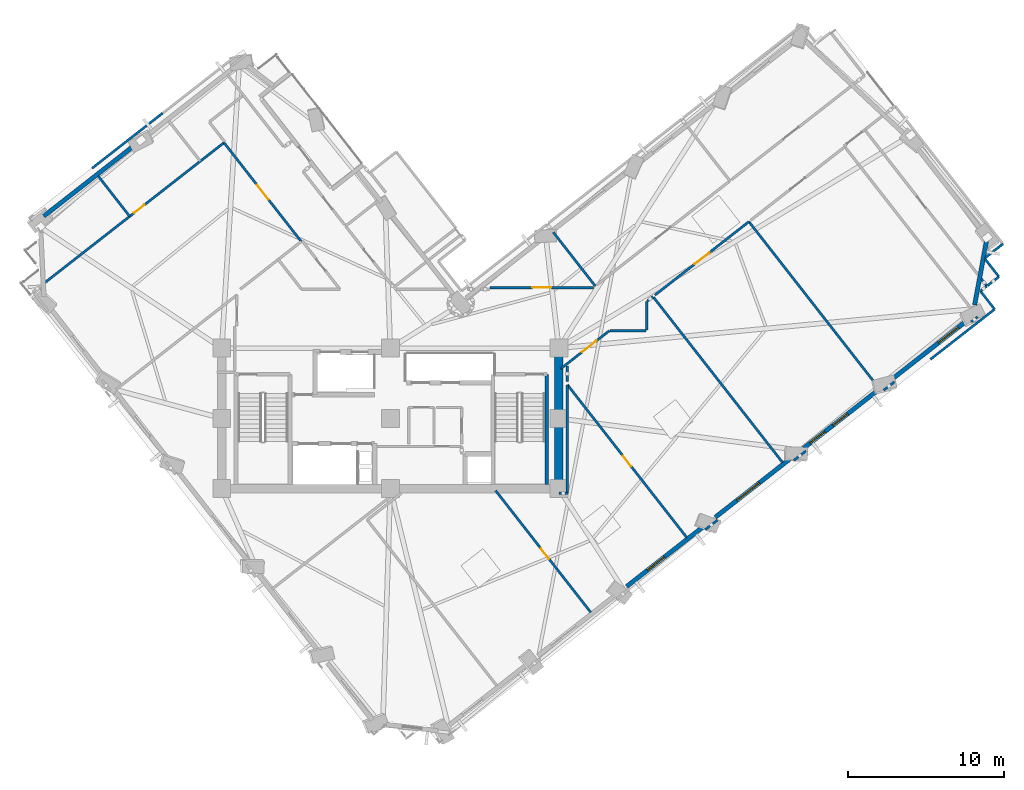
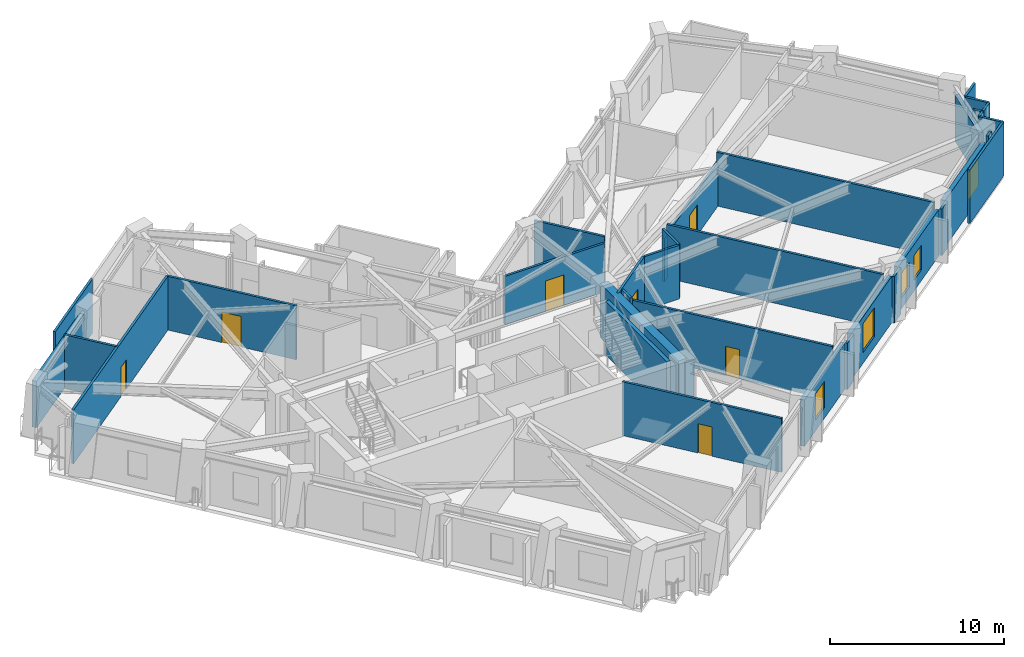
# One storey, part 7 of 14: 37 walls, 7 doors, 5 windows, 12 openings.
"""IFC4 building model written with IfcOpenShell, lengths in metres."""

from ifc_helpers import new_model, si_unit, direction, frame, frame_2d, origin, place, context, subcontext, project, spatial, rectangle, extrude, material, layer, layer_set, type_object, element, fill, save


model = new_model("IFC4")

# Units and contexts
model_context = context("Model", 3, precision=1e-05, world=origin(), true_north=direction((0.0, 1.0)))
body_context = subcontext(model_context, "Body", "Model", "MODEL_VIEW")
ifc_project = project(units=[si_unit("LENGTHUNIT", "METRE"), si_unit("AREAUNIT", "SQUARE_METRE"), si_unit("VOLUMEUNIT", "CUBIC_METRE"), si_unit("PLANEANGLEUNIT", "RADIAN"), si_unit("MASSUNIT", "GRAM", prefix="KILO")], contexts=[model_context])

# Site, building, storey
site_placement = place(None, origin())
site = spatial("IfcSite", under=ifc_project, at=site_placement, CompositionType="ELEMENT")
building_placement = place(site_placement, origin())
building = spatial("IfcBuilding", under=site, at=building_placement, Name="Gaonmaruhae Medical Tower", CompositionType="ELEMENT")
storey_placement = place(building_placement, frame((0.0, 0.0, 185.800048828125)))
storey = spatial("IfcBuildingStorey", under=building, at=storey_placement, Name="L44", CompositionType="ELEMENT", Elevation=185.800048828125)

# Wall
ifc_material_1 = material(Name="Concrete C50/60", Category="concrete")
ifc_layer_1 = layer(ifc_material_1, 0.550048828125)
ifc_layer_set_1 = layer_set([ifc_layer_1], Name="Concrete C50/60")
wall_type_1 = type_object("IfcWallType", Name="CW-550 Mid-High Core Shear Wall", PredefinedType="SHEAR", material=ifc_layer_set_1)
wall_1_placement = place(storey_placement, frame((35.60009765625, 7.800048828125, 0.0), z_axis=(0.0, 0.0, 1.0), x_axis=(0.0, 1.0, 0.0)))
element("IfcWall", 1, at=wall_1_placement, inside=storey, type_object=wall_type_1, Name="L44 Core Shear Wall CSW-E1", PredefinedType="SHEAR", context=body_context, shape_type="SweptSolid", body=[
    extrude(rectangle(XDim=9.0, YDim=0.550048828125, at=frame_2d((4.5, 0.0))), origin(), (0.0, 0.0, 1.0), 3.780029296875),
])

# Wall, opening, window
ifc_material_2 = material(Name="Precast concrete C45/55", Category="concrete")
ifc_layer_2 = layer(ifc_material_2, 0.280029296875)
ifc_layer_set_2 = layer_set([ifc_layer_2], Name="Precast concrete C45/55")
wall_type_2 = type_object("IfcWallType", Name="EW-280 Upper Precast Masonry-Frame Facade Wall", PredefinedType="SOLIDWALL", material=ifc_layer_set_2)
wall_2_placement = place(storey_placement, frame((44.846923828125, 5.351318359375, 0.0), z_axis=(0.0, 0.0, 1.0), x_axis=(-0.78801127006, -0.615660814294, 0.0)))
wall_2 = element("IfcWall", 2, at=wall_2_placement, inside=storey, type_object=wall_type_2, Name="L44 Precast Masonry-Frame Wall S03-S04", PredefinedType="SOLIDWALL", context=body_context, shape_type="SweptSolid", body=[
    extrude(rectangle(XDim=6.21435546875, YDim=0.280029296875, at=frame_2d((3.107177734375, 0.0))), origin(), (0.0, 0.0, 1.0), 3.264892578125),
])
opening_1_placement = place(wall_2_placement, frame((3.135009765625, 0.0, 0.75)))
opening_1 = element("IfcOpeningElement", 3, at=opening_1_placement, cuts=wall_2, Name="Opening WN-03", PredefinedType="OPENING", context=body_context, shape_type="SweptSolid", body=[
    extrude(rectangle(XDim=1.39990234375, YDim=1.85009765625, at=frame_2d((0.699951171875, 0.925048828125))), frame((0.0, 0.14990234375, 0.0), z_axis=(0.0, -1.0, 0.0), x_axis=(1.0, 0.0, 0.0)), (0.0, 0.0, 1.0), 0.300048828125),
])
ifc_material_3 = material(Name="Anodised aluminium and Low-E double glazing", Category="aluminium")
window_type_1 = type_object("IfcWindowType", Name="WN-03 Isolation Ward Punched Window 1400x1850", PartitioningType="SINGLE_PANEL", PredefinedType="WINDOW", material=ifc_material_3)
window_1_placement = place(opening_1_placement, origin())
window_1 = element("IfcWindow", 4, at=window_1_placement, inside=storey, type_object=window_type_1, Name="L44 Modular Facade Window S03", OverallHeight=1.85009765625, OverallWidth=1.39990234375, PartitioningType="SINGLE_PANEL", PredefinedType="WINDOW", context=body_context, shape_type="SweptSolid", body=[
    extrude(rectangle(XDim=1.39990234375, YDim=1.85009765625, at=frame_2d((0.699951171875, 0.925048828125))), frame((0.0, 0.030029296875, 0.0), z_axis=(0.0, -1.0, 0.0), x_axis=(1.0, 0.0, 0.0)), (0.0, 0.0, 1.0), 0.06005859375),
])
fill(opening_1, window_1)

wall_3_placement = place(storey_placement, frame((50.52099609375, 9.784423828125, 0.0), z_axis=(0.0, 0.0, 1.0), x_axis=(-0.788024969853, -0.615643278927, 0.0)))
wall_3 = element("IfcWall", 5, at=wall_3_placement, inside=storey, type_object=wall_type_2, Name="L44 Precast Masonry-Frame Wall S04-S05", PredefinedType="SOLIDWALL", context=body_context, shape_type="SweptSolid", body=[
    extrude(rectangle(XDim=6.208984375, YDim=0.280029296875, at=frame_2d((3.1044921875, 0.0))), origin(), (0.0, 0.0, 1.0), 3.264892578125),
])
opening_2_placement = place(wall_3_placement, frame((2.634033203125, 0.0, 0.75)))
opening_2 = element("IfcOpeningElement", 6, at=opening_2_placement, cuts=wall_3, Name="Opening WN-04", PredefinedType="OPENING", context=body_context, shape_type="SweptSolid", body=[
    extrude(rectangle(XDim=1.800048828125, YDim=2.050048828125, at=frame_2d((0.89990234375, 1.02490234375))), frame((0.0, 0.14990234375, 0.0), z_axis=(0.0, -1.0, 0.0), x_axis=(1.0, 0.0, 0.0)), (0.0, 0.0, 1.0), 0.300048828125),
])
window_type_2 = type_object("IfcWindowType", Name="WN-04 Clinic & Consult Punched Window 1800x2050", PartitioningType="SINGLE_PANEL", PredefinedType="WINDOW", material=ifc_material_3)
window_2_placement = place(opening_2_placement, origin())
window_2 = element("IfcWindow", 7, at=window_2_placement, inside=storey, type_object=window_type_2, Name="L44 Modular Facade Window S04", OverallHeight=2.050048828125, OverallWidth=1.800048828125, PartitioningType="SINGLE_PANEL", PredefinedType="WINDOW", context=body_context, shape_type="SweptSolid", body=[
    extrude(rectangle(XDim=1.800048828125, YDim=2.050048828125, at=frame_2d((0.89990234375, 1.02490234375))), frame((0.0, 0.030029296875, 0.0), z_axis=(0.0, -1.0, 0.0), x_axis=(1.0, 0.0, 0.0)), (0.0, 0.0, 1.0), 0.06005859375),
])
fill(opening_2, window_2)

# Wall, openings, windows
wall_4_placement = place(storey_placement, frame((56.20068359375, 14.221923828125, 0.0), z_axis=(0.0, 0.0, 1.0), x_axis=(-0.788018421065, -0.6156516613, 0.0)))
wall_4 = element("IfcWall", 8, at=wall_4_placement, inside=storey, type_object=wall_type_2, Name="L44 Precast Masonry-Frame Wall S05-S06", PredefinedType="SOLIDWALL", context=body_context, shape_type="SweptSolid", body=[
    extrude(rectangle(XDim=6.218017578125, YDim=0.280029296875, at=frame_2d((3.10888671875, 0.0))), origin(), (0.0, 0.0, 1.0), 3.264892578125),
])
opening_3_placement = place(wall_4_placement, frame((2.642333984375, 0.0, 0.75)))
opening_3 = element("IfcOpeningElement", 9, at=opening_3_placement, cuts=wall_4, Name="Opening WN-05", PredefinedType="OPENING", context=body_context, shape_type="SweptSolid", body=[
    extrude(rectangle(XDim=1.199951171875, YDim=1.75, at=frame_2d((0.60009765625, 0.875))), frame((0.0, 0.14990234375, 0.0), z_axis=(0.0, -1.0, 0.0), x_axis=(1.0, 0.0, 0.0)), (0.0, 0.0, 1.0), 0.300048828125),
])
opening_4_placement = place(wall_4_placement, frame((4.494873046875, 0.0, 0.75)))
opening_4 = element("IfcOpeningElement", 10, at=opening_4_placement, cuts=wall_4, Name="Opening WN-05", PredefinedType="OPENING", context=body_context, shape_type="SweptSolid", body=[
    extrude(rectangle(XDim=1.199951171875, YDim=1.75, at=frame_2d((0.60009765625, 0.875))), frame((0.0, 0.14990234375, 0.0), z_axis=(0.0, -1.0, 0.0), x_axis=(1.0, 0.0, 0.0)), (0.0, 0.0, 1.0), 0.300048828125),
])
window_type_3 = type_object("IfcWindowType", Name="WN-05 Support & Staff Punched Window 1200x1750", PartitioningType="SINGLE_PANEL", PredefinedType="WINDOW", material=ifc_material_3)
window_3_placement = place(opening_3_placement, origin())
window_3 = element("IfcWindow", 11, at=window_3_placement, inside=storey, type_object=window_type_3, Name="L44 Modular Facade Window S05", OverallHeight=1.75, OverallWidth=1.199951171875, PartitioningType="SINGLE_PANEL", PredefinedType="WINDOW", context=body_context, shape_type="SweptSolid", body=[
    extrude(rectangle(XDim=1.199951171875, YDim=1.75, at=frame_2d((0.60009765625, 0.875))), frame((0.0, 0.030029296875, 0.0), z_axis=(0.0, -1.0, 0.0), x_axis=(1.0, 0.0, 0.0)), (0.0, 0.0, 1.0), 0.06005859375),
])
fill(opening_3, window_3)
window_4_placement = place(opening_4_placement, origin())
window_4 = element("IfcWindow", 12, at=window_4_placement, inside=storey, type_object=window_type_3, Name="L44 Modular Facade Window S05B", OverallHeight=1.75, OverallWidth=1.199951171875, PartitioningType="SINGLE_PANEL", PredefinedType="WINDOW", context=body_context, shape_type="SweptSolid", body=[
    extrude(rectangle(XDim=1.199951171875, YDim=1.75, at=frame_2d((0.60009765625, 0.875))), frame((0.0, 0.030029296875, 0.0), z_axis=(0.0, -1.0, 0.0), x_axis=(1.0, 0.0, 0.0)), (0.0, 0.0, 1.0), 0.06005859375),
])
fill(opening_4, window_4)

# Wall, opening, window
wall_5_placement = place(storey_placement, frame((61.88671875, 18.664306640625, 0.0), z_axis=(0.0, 0.0, 1.0), x_axis=(-0.78801310803, -0.61565846179, 0.0)))
wall_5 = element("IfcWall", 13, at=wall_5_placement, inside=storey, type_object=wall_type_2, Name="L44 Precast Masonry-Frame Wall S06-S07", PredefinedType="SOLIDWALL", context=body_context, shape_type="SweptSolid", body=[
    extrude(rectangle(XDim=6.242431640625, YDim=0.280029296875, at=frame_2d((3.12109375, 0.0))), origin(), (0.0, 0.0, 1.0), 3.264892578125),
])
opening_5_placement = place(wall_5_placement, frame((0.86767578125, 0.0, 0.75)))
opening_5 = element("IfcOpeningElement", 14, at=opening_5_placement, cuts=wall_5, Name="Opening WN-01", PredefinedType="OPENING", context=body_context, shape_type="SweptSolid", body=[
    extrude(rectangle(XDim=1.60009765625, YDim=1.949951171875, at=frame_2d((0.800048828125, 0.97509765625))), frame((0.0, 0.14990234375, 0.0), z_axis=(0.0, -1.0, 0.0), x_axis=(1.0, 0.0, 0.0)), (0.0, 0.0, 1.0), 0.300048828125),
])
window_type_4 = type_object("IfcWindowType", Name="WN-01 Ward Punched Acoustic Window 1600x1950", PartitioningType="SINGLE_PANEL", PredefinedType="WINDOW", material=ifc_material_3)
window_5_placement = place(opening_5_placement, origin())
window_5 = element("IfcWindow", 15, at=window_5_placement, inside=storey, type_object=window_type_4, Name="L44 Modular Facade Window S06", OverallHeight=1.949951171875, OverallWidth=1.60009765625, PartitioningType="SINGLE_PANEL", PredefinedType="WINDOW", context=body_context, shape_type="SweptSolid", body=[
    extrude(rectangle(XDim=1.60009765625, YDim=1.949951171875, at=frame_2d((0.800048828125, 0.97509765625))), frame((0.0, 0.030029296875, 0.0), z_axis=(0.0, -1.0, 0.0), x_axis=(1.0, 0.0, 0.0)), (0.0, 0.0, 1.0), 0.06005859375),
])
fill(opening_5, window_5)

# Walls
wall_6_placement = place(storey_placement, frame((63.007080078125, 23.6416015625, 0.0), z_axis=(0.0, 0.0, 1.0), x_axis=(-0.183050891874, -0.983103438598, 0.0)))
element("IfcWall", 16, at=wall_6_placement, inside=storey, type_object=wall_type_2, Name="L44 Precast Masonry-Frame Wall S07-E01", PredefinedType="SOLIDWALL", context=body_context, shape_type="SweptSolid", body=[
    extrude(rectangle(XDim=4.145263671875, YDim=0.280029296875, at=frame_2d((2.07275390625, 0.0))), origin(), (0.0, 0.0, 1.0), 3.264892578125),
])
wall_7_placement = place(storey_placement, frame((2.589111328125, 25.254150390625, 0.0), z_axis=(0.0, 0.0, 1.0), x_axis=(0.788021319008, 0.615647951989, 0.0)))
element("IfcWall", 17, at=wall_7_placement, inside=storey, type_object=wall_type_2, Name="L44 Precast Masonry-Frame Wall N02-N03", PredefinedType="SOLIDWALL", context=body_context, shape_type="SweptSolid", body=[
    extrude(rectangle(XDim=7.27001953125, YDim=0.280029296875, at=frame_2d((3.635009765625, 0.0))), origin(), (0.0, 0.0, 1.0), 3.264892578125),
])

# Wall, opening, door
ifc_material_4 = material(Name="Gypsum board partition", Category="gypsum")
ifc_layer_3 = layer(ifc_material_4, 0.14990234375)
ifc_layer_set_3 = layer_set([ifc_layer_3], Name="Gypsum board partition")
wall_type_3 = type_object("IfcWallType", Name="PW-150 Rated Clinical Corridor Partition", PredefinedType="PARTITIONING", material=ifc_layer_set_3)
wall_8_placement = place(storey_placement, frame((31.549072265625, 7.674072265625, 0.0), z_axis=(0.0, 0.0, 1.0), x_axis=(0.615635907998, -0.788030728324, 0.0)))
wall_8 = element("IfcWall", 18, at=wall_8_placement, inside=storey, type_object=wall_type_3, Name="L44 Interior Partition L44-SUP02-11", PredefinedType="PARTITIONING", context=body_context, shape_type="SweptSolid", body=[
    extrude(rectangle(XDim=9.90185546875, YDim=0.14990234375, at=frame_2d((4.950927734375, 0.0))), origin(), (0.0, 0.0, 1.0), 3.780029296875),
])
opening_6_placement = place(wall_8_placement, frame((4.711181640625, 0.0, 0.0)))
opening_6 = element("IfcOpeningElement", 19, at=opening_6_placement, cuts=wall_8, Name="Opening AD-01", PredefinedType="OPENING", context=body_context, shape_type="SweptSolid", body=[
    extrude(rectangle(XDim=0.860107421875, YDim=2.06005859375, at=frame_2d((0.43017578125, 1.030029296875))), frame((0.0, 0.0849609375, 0.0), z_axis=(0.0, -1.0, 0.0), x_axis=(1.0, 0.0, 0.0)), (0.0, 0.0, 1.0), 0.169921875),
])
ifc_material_5 = material(Name="Powder-coated steel access door", Category="steel")
door_type_1 = type_object("IfcDoorType", Name="AD-01 Riser & Closet Access Fire Door 860x2060", OperationType="NOTDEFINED", PredefinedType="DOOR", material=ifc_material_5)
door_1_placement = place(opening_6_placement, origin())
door_1 = element("IfcDoor", 20, at=door_1_placement, inside=storey, type_object=door_type_1, Name="L44 Clinical Biomedical Charting Office Sliding Door", OperationType="SLIDING_TO_LEFT", OverallHeight=2.06005859375, OverallWidth=0.860107421875, PredefinedType="DOOR", context=body_context, shape_type="SweptSolid", body=[
    extrude(rectangle(XDim=0.860107421875, YDim=2.06005859375, at=frame_2d((0.43017578125, 1.030029296875))), frame((0.0, 0.02490234375, 0.0), z_axis=(0.0, -1.0, 0.0), x_axis=(1.0, 0.0, 0.0)), (0.0, 0.0, 1.0), 0.050048828125),
])
fill(opening_6, door_1)

wall_9_placement = place(storey_placement, frame((36.14990234375, 14.4541015625, 0.0), z_axis=(0.0, 0.0, 1.0), x_axis=(0.615678011818, -0.787997833604, 0.0)))
wall_9 = element("IfcWall", 21, at=wall_9_placement, inside=storey, type_object=wall_type_3, Name="L44 Interior Partition L44-SUP03-12", PredefinedType="PARTITIONING", context=body_context, shape_type="SweptSolid", body=[
    extrude(rectangle(XDim=12.41259765625, YDim=0.14990234375, at=frame_2d((6.206298828125, 0.0))), origin(), (0.0, 0.0, 1.0), 3.780029296875),
])
opening_7_placement = place(wall_9_placement, frame((5.776123046875, 0.0, 0.0)))
opening_7 = element("IfcOpeningElement", 22, at=opening_7_placement, cuts=wall_9, Name="Opening AD-01", PredefinedType="OPENING", context=body_context, shape_type="SweptSolid", body=[
    extrude(rectangle(XDim=0.860107421875, YDim=2.06005859375, at=frame_2d((0.43017578125, 1.030029296875))), frame((0.0, 0.0849609375, 0.0), z_axis=(0.0, -1.0, 0.0), x_axis=(1.0, 0.0, 0.0)), (0.0, 0.0, 1.0), 0.169921875),
])
door_2_placement = place(opening_7_placement, origin())
door_2 = element("IfcDoor", 23, at=door_2_placement, inside=storey, type_object=door_type_1, Name="L44 Clinical Biomedical Charting Office Sliding Door", OperationType="SLIDING_TO_LEFT", OverallHeight=2.06005859375, OverallWidth=0.860107421875, PredefinedType="DOOR", context=body_context, shape_type="SweptSolid", body=[
    extrude(rectangle(XDim=0.860107421875, YDim=2.06005859375, at=frame_2d((0.43017578125, 1.030029296875))), frame((0.0, 0.02490234375, 0.0), z_axis=(0.0, -1.0, 0.0), x_axis=(1.0, 0.0, 0.0)), (0.0, 0.0, 1.0), 0.050048828125),
])
fill(opening_7, door_2)

# Walls
wall_10_placement = place(storey_placement, frame((35.60009765625, 7.5, 0.0), z_axis=(0.0, 0.0, 1.0), x_axis=(1.0, 0.0, 0.0)))
element("IfcWall", 24, at=wall_10_placement, inside=storey, type_object=wall_type_3, Name="L44 Interior Partition L44-SUP03-14", PredefinedType="PARTITIONING", context=body_context, shape_type="SweptSolid", body=[
    extrude(rectangle(XDim=0.5498046875, YDim=0.14990234375, at=frame_2d((0.27490234375, 0.0))), origin(), (0.0, 0.0, 1.0), 3.780029296875),
])
wall_11_placement = place(storey_placement, frame((36.14990234375, 7.5, 0.0), z_axis=(0.0, 0.0, 1.0), x_axis=(0.0, 1.0, 0.0)))
element("IfcWall", 25, at=wall_11_placement, inside=storey, type_object=wall_type_3, Name="L44 Interior Partition L44-SUP03-15", PredefinedType="PARTITIONING", context=body_context, shape_type="SweptSolid", body=[
    extrude(rectangle(XDim=6.9541015625, YDim=0.14990234375, at=frame_2d((3.47705078125, 0.0))), origin(), (0.0, 0.0, 1.0), 3.31494140625),
])
wall_12_placement = place(storey_placement, frame((41.22998046875, 17.949951171875, 0.0), z_axis=(0.0, 0.0, 1.0), x_axis=(0.0, 1.0, 0.0)))
element("IfcWall", 26, at=wall_12_placement, inside=storey, type_object=wall_type_3, Name="L44 Interior Partition L44-SUP04-16", PredefinedType="PARTITIONING", context=body_context, shape_type="SweptSolid", body=[
    extrude(rectangle(XDim=1.833984375, YDim=0.14990234375, at=frame_2d((0.9169921875, 0.0))), origin(), (0.0, 0.0, 1.0), 3.780029296875),
])
wall_13_placement = place(storey_placement, frame((41.26904296875, 19.81494140625, 0.0), z_axis=(0.0, 0.0, 1.0), x_axis=(0.787571341055, 0.616223484418, 0.0)))
element("IfcWall", 27, at=wall_13_placement, inside=storey, type_object=wall_type_3, Name="L44 Interior Partition L44-SUP04-17", PredefinedType="PARTITIONING", context=body_context, shape_type="SweptSolid", body=[
    extrude(rectangle(XDim=0.4658203125, YDim=0.14990234375, at=frame_2d((0.23291015625, 0.0))), origin(), (0.0, 0.0, 1.0), 3.06494140625),
])
wall_14_placement = place(storey_placement, frame((41.6669921875, 20.06298828125, 0.0), z_axis=(0.0, 0.0, 1.0), x_axis=(0.615607368114, -0.788053023802, 0.0)))
element("IfcWall", 28, at=wall_14_placement, inside=storey, type_object=wall_type_3, Name="L44 Interior Partition L44-SUP04-18", PredefinedType="PARTITIONING", context=body_context, shape_type="SweptSolid", body=[
    extrude(rectangle(XDim=13.435546875, YDim=0.14990234375, at=frame_2d((6.7177734375, 0.0))), origin(), (0.0, 0.0, 1.0), 3.780029296875),
])
wall_15_placement = place(storey_placement, frame((45.77001953125, 5.781005859375, 0.0), z_axis=(0.0, 0.0, 1.0), x_axis=(-0.787946046354, -0.615744287863, 0.0)))
element("IfcWall", 29, at=wall_15_placement, inside=storey, type_object=wall_type_3, Name="L44 Interior Partition L44-SUP04-19", PredefinedType="PARTITIONING", context=body_context, shape_type="SweptSolid", body=[
    extrude(rectangle(XDim=0.992431640625, YDim=0.14990234375, at=frame_2d((0.49609375, 0.0))), origin(), (0.0, 0.0, 1.0), 3.264892578125),
])
wall_16_placement = place(storey_placement, frame((36.14990234375, 14.656982421875, 0.0), z_axis=(0.0, 0.0, 1.0), x_axis=(0.0, 1.0, 0.0)))
element("IfcWall", 30, at=wall_16_placement, inside=storey, type_object=wall_type_3, Name="L44 Interior Partition L44-SUP04-20", PredefinedType="PARTITIONING", context=body_context, shape_type="SweptSolid", body=[
    extrude(rectangle(XDim=0.998046875, YDim=0.14990234375, at=frame_2d((0.4990234375, 0.0))), origin(), (0.0, 0.0, 1.0), 3.780029296875),
])

# Wall, opening, door
wall_17_placement = place(storey_placement, frame((35.72607421875, 15.48388671875, 0.0), z_axis=(0.0, 0.0, 1.0), x_axis=(0.788004728752, 0.615669186711, 0.0)))
wall_17 = element("IfcWall", 31, at=wall_17_placement, inside=storey, type_object=wall_type_3, Name="L44 Interior Partition L44-SUP04-21", PredefinedType="PARTITIONING", context=body_context, shape_type="SweptSolid", body=[
    extrude(rectangle(XDim=3.956787109375, YDim=0.14990234375, at=frame_2d((1.978515625, 0.0))), origin(), (0.0, 0.0, 1.0), 3.780029296875),
])
opening_8_placement = place(wall_17_placement, frame((1.720458984375, 0.0, 0.0)))
opening_8 = element("IfcOpeningElement", 32, at=opening_8_placement, cuts=wall_17, Name="Opening CD-02", PredefinedType="OPENING", context=body_context, shape_type="SweptSolid", body=[
    extrude(rectangle(XDim=1.199951171875, YDim=2.14990234375, at=frame_2d((0.60009765625, 1.074951171875))), frame((0.0, 0.0849609375, 0.0), z_axis=(0.0, -1.0, 0.0), x_axis=(1.0, 0.0, 0.0)), (0.0, 0.0, 1.0), 0.169921875),
])
ifc_material_6 = material(Name="Antimicrobial laminate timber fire door", Category="wood")
door_type_2 = type_object("IfcDoorType", Name="CD-02 Clinical Treatment & Procedure Door 1200x2150", OperationType="NOTDEFINED", PredefinedType="DOOR", material=ifc_material_6)
door_3_placement = place(opening_8_placement, origin())
door_3 = element("IfcDoor", 33, at=door_3_placement, inside=storey, type_object=door_type_2, Name="L44 Clinical Biomedical Charting Office Door", OperationType="SINGLE_SWING_RIGHT", OverallHeight=2.14990234375, OverallWidth=1.199951171875, PredefinedType="DOOR", context=body_context, shape_type="SweptSolid", body=[
    extrude(rectangle(XDim=1.199951171875, YDim=2.14990234375, at=frame_2d((0.60009765625, 1.074951171875))), frame((0.0, 0.02490234375, 0.0), z_axis=(0.0, -1.0, 0.0), x_axis=(1.0, 0.0, 0.0)), (0.0, 0.0, 1.0), 0.050048828125),
])
fill(opening_8, door_3)

# Wall
wall_18_placement = place(storey_placement, frame((38.89404296875, 17.919921875, 0.0), z_axis=(0.0, 0.0, 1.0), x_axis=(1.0, 0.0, 0.0)))
element("IfcWall", 34, at=wall_18_placement, inside=storey, type_object=wall_type_3, Name="L44 Interior Partition L44-SUP04-22", PredefinedType="PARTITIONING", context=body_context, shape_type="SweptSolid", body=[
    extrude(rectangle(XDim=2.2958984375, YDim=0.14990234375, at=frame_2d((1.14794921875, 0.0))), origin(), (0.0, 0.0, 1.0), 3.780029296875),
])

# Wall, opening, door
wall_19_placement = place(storey_placement, frame((41.761962890625, 20.199951171875, 0.0), z_axis=(0.0, 0.0, 1.0), x_axis=(0.78801177859, 0.615660163404, 0.0)))
wall_19 = element("IfcWall", 35, at=wall_19_placement, inside=storey, type_object=wall_type_3, Name="L44 Interior Partition L44-SUP05-23", PredefinedType="PARTITIONING", context=body_context, shape_type="SweptSolid", body=[
    extrude(rectangle(XDim=7.640625, YDim=0.14990234375, at=frame_2d((3.8203125, 0.0))), origin(), (0.0, 0.0, 1.0), 3.06494140625),
])
opening_9_placement = place(wall_19_placement, frame((3.22021484375, 0.0, 0.0)))
opening_9 = element("IfcOpeningElement", 36, at=opening_9_placement, cuts=wall_19, Name="Opening CD-02", PredefinedType="OPENING", context=body_context, shape_type="SweptSolid", body=[
    extrude(rectangle(XDim=1.199951171875, YDim=2.14990234375, at=frame_2d((0.60009765625, 1.074951171875))), frame((0.0, 0.0849609375, 0.0), z_axis=(0.0, -1.0, 0.0), x_axis=(1.0, 0.0, 0.0)), (0.0, 0.0, 1.0), 0.169921875),
])
door_4_placement = place(opening_9_placement, origin())
door_4 = element("IfcDoor", 37, at=door_4_placement, inside=storey, type_object=door_type_2, Name="L44 Clinical Biomedical Charting Office Door", OperationType="SINGLE_SWING_LEFT", OverallHeight=2.14990234375, OverallWidth=1.199951171875, PredefinedType="DOOR", context=body_context, shape_type="SweptSolid", body=[
    extrude(rectangle(XDim=1.199951171875, YDim=2.14990234375, at=frame_2d((0.60009765625, 1.074951171875))), frame((0.0, 0.02490234375, 0.0), z_axis=(0.0, -1.0, 0.0), x_axis=(1.0, 0.0, 0.0)), (0.0, 0.0, 1.0), 0.050048828125),
])
fill(opening_9, door_4)

# Walls
wall_20_placement = place(storey_placement, frame((47.782958984375, 24.904052734375, 0.0), z_axis=(0.0, 0.0, 1.0), x_axis=(0.615629988963, -0.788035352436, 0.0)))
element("IfcWall", 38, at=wall_20_placement, inside=storey, type_object=wall_type_3, Name="L44 Interior Partition L44-SUP05-24", PredefinedType="PARTITIONING", context=body_context, shape_type="SweptSolid", body=[
    extrude(rectangle(XDim=13.4853515625, YDim=0.14990234375, at=frame_2d((6.74267578125, 0.0))), origin(), (0.0, 0.0, 1.0), 3.780029296875),
])
wall_21_placement = place(storey_placement, frame((51.44189453125, 10.212890625, 0.0), z_axis=(0.0, 0.0, 1.0), x_axis=(-0.787702718668, -0.616055538895, 0.0)))
element("IfcWall", 39, at=wall_21_placement, inside=storey, type_object=wall_type_3, Name="L44 Interior Partition L44-SUP05-25", PredefinedType="PARTITIONING", context=body_context, shape_type="SweptSolid", body=[
    extrude(rectangle(XDim=0.989990234375, YDim=0.14990234375, at=frame_2d((0.4951171875, 0.0))), origin(), (0.0, 0.0, 1.0), 3.264892578125),
])
wall_22_placement = place(storey_placement, frame((62.444091796875, 18.80810546875, 0.0), z_axis=(0.0, 0.0, 1.0), x_axis=(-0.787856112572, -0.615859355602, 0.0)))
element("IfcWall", 40, at=wall_22_placement, inside=storey, type_object=wall_type_3, Name="L44 Interior Partition L44-SUP06-28", PredefinedType="PARTITIONING", context=body_context, shape_type="SweptSolid", body=[
    extrude(rectangle(XDim=0.528076171875, YDim=0.14990234375, at=frame_2d((0.26416015625, 0.0))), origin(), (0.0, 0.0, 1.0), 3.780029296875),
])
wall_23_placement = place(storey_placement, frame((57.10888671875, 14.639892578125, 0.0), z_axis=(0.0, 0.0, 1.0), x_axis=(-0.787960577914, -0.61572569189, 0.0)))
element("IfcWall", 41, at=wall_23_placement, inside=storey, type_object=wall_type_3, Name="L44 Interior Partition L44-SUP06-29", PredefinedType="PARTITIONING", context=body_context, shape_type="SweptSolid", body=[
    extrude(rectangle(XDim=0.870361328125, YDim=0.14990234375, at=frame_2d((0.43505859375, 0.0))), origin(), (0.0, 0.0, 1.0), 3.264892578125),
])

# Wall, opening, door
wall_24_placement = place(storey_placement, frame((2.6708984375, 21.00390625, 0.0), z_axis=(0.0, 0.0, 1.0), x_axis=(0.788033017359, 0.615632977961, 0.0)))
wall_24 = element("IfcWall", 42, at=wall_24_placement, inside=storey, type_object=wall_type_3, Name="L44 Interior Partition L44-WOF09-42", PredefinedType="PARTITIONING", context=body_context, shape_type="SweptSolid", body=[
    extrude(rectangle(XDim=14.559326171875, YDim=0.14990234375, at=frame_2d((7.27978515625, 0.0))), origin(), (0.0, 0.0, 1.0), 3.780029296875),
])
opening_10_placement = place(wall_24_placement, frame((7.24365234375, 0.0, 0.0)))
opening_10 = element("IfcOpeningElement", 43, at=opening_10_placement, cuts=wall_24, Name="Opening AD-01", PredefinedType="OPENING", context=body_context, shape_type="SweptSolid", body=[
    extrude(rectangle(XDim=0.860107421875, YDim=2.06005859375, at=frame_2d((0.43017578125, 1.030029296875))), frame((0.0, 0.0849609375, 0.0), z_axis=(0.0, -1.0, 0.0), x_axis=(1.0, 0.0, 0.0)), (0.0, 0.0, 1.0), 0.169921875),
])
door_5_placement = place(opening_10_placement, origin())
door_5 = element("IfcDoor", 44, at=door_5_placement, inside=storey, type_object=door_type_1, Name="L44 Care Team Clinical Charting Office Sliding Door", OperationType="SLIDING_TO_LEFT", OverallHeight=2.06005859375, OverallWidth=0.860107421875, PredefinedType="DOOR", context=body_context, shape_type="SweptSolid", body=[
    extrude(rectangle(XDim=0.860107421875, YDim=2.06005859375, at=frame_2d((0.43017578125, 1.030029296875))), frame((0.0, 0.02490234375, 0.0), z_axis=(0.0, -1.0, 0.0), x_axis=(1.0, 0.0, 0.0)), (0.0, 0.0, 1.0), 0.050048828125),
])
fill(opening_10, door_5)

wall_25_placement = place(storey_placement, frame((14.14404296875, 29.967041015625, 0.0), z_axis=(0.0, 0.0, 1.0), x_axis=(0.615702970694, -0.787978332112, 0.0)))
wall_25 = element("IfcWall", 45, at=wall_25_placement, inside=storey, type_object=wall_type_3, Name="L44 Interior Partition L44-WOF09-43", PredefinedType="PARTITIONING", context=body_context, shape_type="SweptSolid", body=[
    extrude(rectangle(XDim=8.03955078125, YDim=0.14990234375, at=frame_2d((4.019775390625, 0.0))), origin(), (0.0, 0.0, 1.0), 3.780029296875),
])
opening_11_placement = place(wall_25_placement, frame((3.419921875, 0.0, 0.0)))
opening_11 = element("IfcOpeningElement", 46, at=opening_11_placement, cuts=wall_25, Name="Opening CD-02", PredefinedType="OPENING", context=body_context, shape_type="SweptSolid", body=[
    extrude(rectangle(XDim=1.199951171875, YDim=2.14990234375, at=frame_2d((0.60009765625, 1.074951171875))), frame((0.0, 0.0849609375, 0.0), z_axis=(0.0, -1.0, 0.0), x_axis=(1.0, 0.0, 0.0)), (0.0, 0.0, 1.0), 0.169921875),
])
door_6_placement = place(opening_11_placement, origin())
door_6 = element("IfcDoor", 47, at=door_6_placement, inside=storey, type_object=door_type_2, Name="L44 Ward Physician Reporting Office Door", OperationType="SINGLE_SWING_RIGHT", OverallHeight=2.14990234375, OverallWidth=1.199951171875, PredefinedType="DOOR", context=body_context, shape_type="SweptSolid", body=[
    extrude(rectangle(XDim=1.199951171875, YDim=2.14990234375, at=frame_2d((0.60009765625, 1.074951171875))), frame((0.0, 0.02490234375, 0.0), z_axis=(0.0, -1.0, 0.0), x_axis=(1.0, 0.0, 0.0)), (0.0, 0.0, 1.0), 0.050048828125),
])
fill(opening_11, door_6)

# Wall
wall_26_placement = place(storey_placement, frame((35.24609375, 24.22705078125, 0.0), z_axis=(0.0, 0.0, 1.0), x_axis=(0.615519498699, -0.78812165731, 0.0)))
element("IfcWall", 48, at=wall_26_placement, inside=storey, type_object=wall_type_3, Name="L44 Interior Partition L44-IE01-48", PredefinedType="PARTITIONING", context=body_context, shape_type="SweptSolid", body=[
    extrude(rectangle(XDim=4.375, YDim=0.14990234375, at=frame_2d((2.1875, 0.0))), origin(), (0.0, 0.0, 1.0), 3.780029296875),
])

# Wall, opening, door
wall_27_placement = place(storey_placement, frame((37.81201171875, 20.679931640625, 0.0), z_axis=(0.0, 0.0, 1.0), x_axis=(-1.0, 0.0, 0.0)))
wall_27 = element("IfcWall", 49, at=wall_27_placement, inside=storey, type_object=wall_type_3, Name="L44 Interior Partition L44-IE01-49", PredefinedType="PARTITIONING", context=body_context, shape_type="SweptSolid", body=[
    extrude(rectangle(XDim=6.612060546875, YDim=0.14990234375, at=frame_2d((3.30615234375, 0.0))), origin(), (0.0, 0.0, 1.0), 3.4150390625),
])
opening_12_placement = place(wall_27_placement, frame((2.7060546875, 0.0, 0.0)))
opening_12 = element("IfcOpeningElement", 50, at=opening_12_placement, cuts=wall_27, Name="Opening CD-02", PredefinedType="OPENING", context=body_context, shape_type="SweptSolid", body=[
    extrude(rectangle(XDim=1.199951171875, YDim=2.14990234375, at=frame_2d((0.60009765625, 1.074951171875))), frame((0.0, 0.0849609375, 0.0), z_axis=(0.0, -1.0, 0.0), x_axis=(1.0, 0.0, 0.0)), (0.0, 0.0, 1.0), 0.169921875),
])
door_7_placement = place(opening_12_placement, origin())
door_7 = element("IfcDoor", 51, at=door_7_placement, inside=storey, type_object=door_type_2, Name="L44 Central Clinical Nurse Station Door", OperationType="SINGLE_SWING_LEFT", OverallHeight=2.14990234375, OverallWidth=1.199951171875, PredefinedType="DOOR", context=body_context, shape_type="SweptSolid", body=[
    extrude(rectangle(XDim=1.199951171875, YDim=2.14990234375, at=frame_2d((0.60009765625, 1.074951171875))), frame((0.0, 0.02490234375, 0.0), z_axis=(0.0, -1.0, 0.0), x_axis=(1.0, 0.0, 0.0)), (0.0, 0.0, 1.0), 0.050048828125),
])
fill(opening_12, door_7)

# Walls
wall_28_placement = place(storey_placement, frame((8.087890625, 25.260986328125, 0.0), z_axis=(0.0, 0.0, 1.0), x_axis=(-0.615616471705, 0.788045912219, 0.0)))
element("IfcWall", 52, at=wall_28_placement, inside=storey, type_object=wall_type_3, Name="L44 Interior Partition L44-RM02-87", PredefinedType="PARTITIONING", context=body_context, shape_type="SweptSolid", body=[
    extrude(rectangle(XDim=3.26513671875, YDim=0.14990234375, at=frame_2d((1.632568359375, 0.0))), origin(), (0.0, 0.0, 1.0), 3.780029296875),
])
wall_29_placement = place(storey_placement, frame((5.68701171875, 28.333984375, 0.0), z_axis=(0.0, 0.0, 1.0), x_axis=(0.787992130079, 0.615685311611, 0.0)))
element("IfcWall", 53, at=wall_29_placement, inside=storey, type_object=wall_type_3, Name="L44 Interior Partition L44-RM02-88", PredefinedType="PARTITIONING", context=body_context, shape_type="SweptSolid", body=[
    extrude(rectangle(XDim=5.73974609375, YDim=0.14990234375, at=frame_2d((2.869873046875, 0.0))), origin(), (0.0, 0.0, 1.0), 3.780029296875),
])
wall_30_placement = place(storey_placement, frame((63.041015625, 20.77197265625, 0.0), z_axis=(0.0, 0.0, 1.0), x_axis=(-0.788188037446, -0.615434494992, 0.0)))
element("IfcWall", 54, at=wall_30_placement, inside=storey, type_object=wall_type_3, Name="L44 Interior Partition L44-RM05-99", PredefinedType="PARTITIONING", context=body_context, shape_type="SweptSolid", body=[
    extrude(rectangle(XDim=0.52001953125, YDim=0.14990234375, at=frame_2d((0.260009765625, 0.0))), origin(), (0.0, 0.0, 1.0), 3.780029296875),
])
wall_31_placement = place(storey_placement, frame((62.631103515625, 20.451904296875, 0.0), z_axis=(0.0, 0.0, 1.0), x_axis=(0.615376556303, -0.788233273818, 0.0)))
element("IfcWall", 55, at=wall_31_placement, inside=storey, type_object=wall_type_3, Name="L44 Interior Partition L44-RM05-100", PredefinedType="PARTITIONING", context=body_context, shape_type="SweptSolid", body=[
    extrude(rectangle(XDim=1.47021484375, YDim=0.14990234375, at=frame_2d((0.735107421875, 0.0))), origin(), (0.0, 0.0, 1.0), 3.780029296875),
])
wall_32_placement = place(storey_placement, frame((63.535888671875, 19.29296875, 0.0), z_axis=(0.0, 0.0, 1.0), x_axis=(-0.788045649509, -0.615616807998, 0.0)))
element("IfcWall", 56, at=wall_32_placement, inside=storey, type_object=wall_type_3, Name="L44 Interior Partition L44-RM05-101", PredefinedType="PARTITIONING", context=body_context, shape_type="SweptSolid", body=[
    extrude(rectangle(XDim=5.218994140625, YDim=0.14990234375, at=frame_2d((2.609375, 0.0))), origin(), (0.0, 0.0, 1.0), 3.780029296875),
])
wall_33_placement = place(storey_placement, frame((62.677001953125, 21.238037109375, 0.0), z_axis=(0.0, 0.0, 1.0), x_axis=(0.615539888524, -0.788105732523, 0.0)))
element("IfcWall", 57, at=wall_33_placement, inside=storey, type_object=wall_type_3, Name="L44 Interior Partition L44-RM05-104", PredefinedType="PARTITIONING", context=body_context, shape_type="SweptSolid", body=[
    extrude(rectangle(XDim=0.59130859375, YDim=0.14990234375, at=frame_2d((0.295654296875, 0.0))), origin(), (0.0, 0.0, 1.0), 3.780029296875),
])
wall_34_placement = place(storey_placement, frame((62.916015625, 22.52392578125, 0.0), z_axis=(0.0, 0.0, 1.0), x_axis=(0.615377477053, -0.788232554984, 0.0)))
element("IfcWall", 58, at=wall_34_placement, inside=storey, type_object=wall_type_3, Name="L44 Interior Partition L44-RM06-105", PredefinedType="PARTITIONING", context=body_context, shape_type="SweptSolid", body=[
    extrude(rectangle(XDim=1.45751953125, YDim=0.14990234375, at=frame_2d((0.728759765625, 0.0))), origin(), (0.0, 0.0, 1.0), 3.780029296875),
])
wall_35_placement = place(storey_placement, frame((63.81298828125, 21.375, 0.0), z_axis=(0.0, 0.0, 1.0), x_axis=(-0.788322063448, -0.615262809116, 0.0)))
element("IfcWall", 59, at=wall_35_placement, inside=storey, type_object=wall_type_3, Name="L44 Interior Partition L44-RM06-106", PredefinedType="PARTITIONING", context=body_context, shape_type="SweptSolid", body=[
    extrude(rectangle(XDim=0.919677734375, YDim=0.14990234375, at=frame_2d((0.4599609375, 0.0))), origin(), (0.0, 0.0, 1.0), 3.780029296875),
])
wall_36_placement = place(storey_placement, frame((64.072021484375, 23.48095703125, 0.0), z_axis=(0.0, 0.0, 1.0), x_axis=(-0.787611392409, -0.616172292909, 0.0)))
element("IfcWall", 60, at=wall_36_placement, inside=storey, type_object=wall_type_3, Name="L44 Interior Partition L44-RM06-110", PredefinedType="PARTITIONING", context=body_context, shape_type="SweptSolid", body=[
    extrude(rectangle(XDim=1.45263671875, YDim=0.14990234375, at=frame_2d((0.726318359375, 0.0))), origin(), (0.0, 0.0, 1.0), 3.780029296875),
])
ifc_layer_4 = layer(ifc_material_1, 0.239990234375)
ifc_layer_set_4 = layer_set([ifc_layer_4], Name="Concrete C50/60")
wall_type_4 = type_object("IfcWallType", Name="SW-240 Dogleg Stair Tight Shaft Wall", PredefinedType="SOLIDWALL", material=ifc_layer_set_4)
wall_37_placement = place(storey_placement, frame((34.830078125, 15.1201171875, 0.0), z_axis=(0.0, 0.0, 1.0), x_axis=(0.0, -1.0, 0.0)))
element("IfcWall", 61, at=wall_37_placement, inside=storey, type_object=wall_type_4, Name="L44 ST-02 Stair Shaft Wall SHW-ST-02-E", PredefinedType="SOLIDWALL", context=body_context, shape_type="SweptSolid", body=[
    extrude(rectangle(XDim=7.045166015625, YDim=0.239990234375, at=frame_2d((3.5224609375, 0.0))), origin(), (0.0, 0.0, 1.0), 3.780029296875),
])

save(model, "model.ifc")
